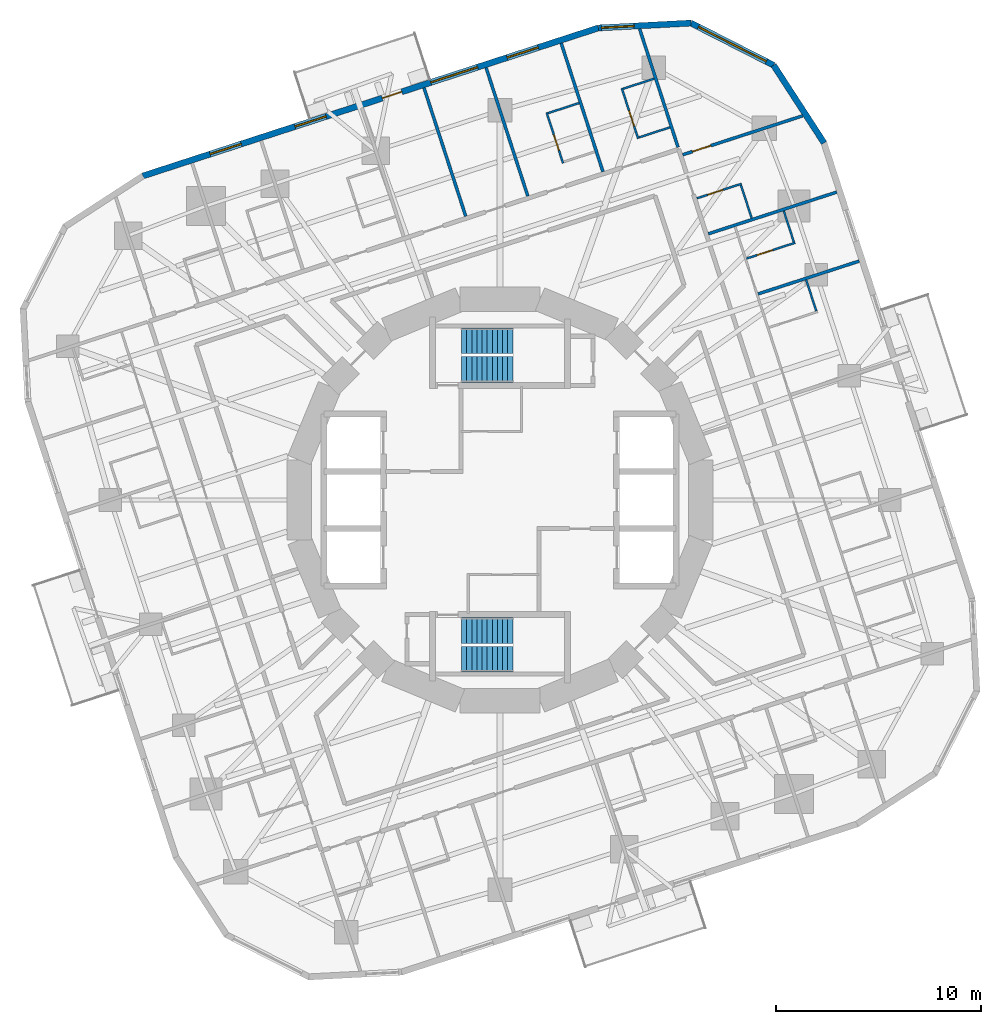
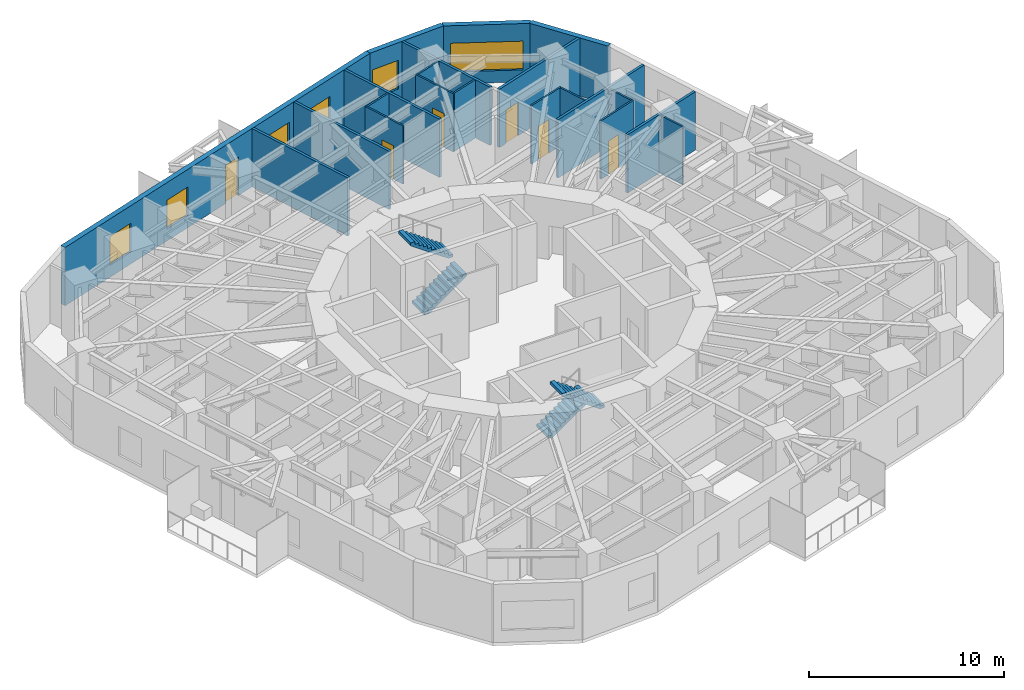
# One storey, part 10 of 12: 21 walls, 6 doors, 6 windows, 4 stair flights, 12 openings, 2 elements without a shape of their own.
"""IFC4 building model written with IfcOpenShell, lengths in metres."""

import ifcopenshell
import ifcopenshell.guid

model = None  # the IFC model being written
_history = None  # IfcOwnerHistory: only IFC2X3 demands one
_inside = {}  # id of a spatial element -> (the spatial element, [elements in it])
_under = {}  # id of a project, library or spatial element -> (it, [spatial elements below it])
_declared = {}  # id of a project -> (the project, [libraries it declares])
_typed = {}  # id of a type object -> (the type object, [elements of that type])
_made_of = {}  # id of a material, layer set ... -> (it, [elements and type objects made of it])


def new_model(schema):
    """Start an empty IFC model of exactly this schema.

    Asked for "IFC4X3", IfcOpenShell would pick the latest addendum, in which some entities
    have other attributes; the version numbers below select the first issue.
    IFC2X3 requires an IfcOwnerHistory on every rooted entity: one is made here for all.
    """
    global model, _history
    if schema == "IFC4X3":
        model = ifcopenshell.file(schema_version=(4, 3, 0, 0))
    else:
        model = ifcopenshell.file(schema=schema)
    _inside.clear()
    _under.clear()
    _declared.clear()
    _typed.clear()
    _made_of.clear()
    _history = None
    if model.schema == "IFC2X3":
        org = make("IfcOrganization", Name="unknown")
        user = make(
            "IfcPersonAndOrganization",
            ThePerson=make("IfcPerson", FamilyName="unknown"),
            TheOrganization=org,
        )
        app = make(
            "IfcApplication",
            ApplicationDeveloper=org,
            Version="unknown",
            ApplicationFullName="unknown",
            ApplicationIdentifier="unknown",
        )
        _history = make(
            "IfcOwnerHistory",
            OwningUser=user,
            OwningApplication=app,
            ChangeAction="ADDED",
            CreationDate=0,
        )
    return model


def make(cls, **values):
    """One entity of the class cls with the attributes given. An attribute that is None is left unset."""
    return model.create_entity(
        cls, **{name: value for name, value in values.items() if value is not None}
    )


def rooted(cls, **values):
    """An entity with a GlobalId (a new one), such as an element, a storey or a relation."""
    return make(cls, GlobalId=ifcopenshell.guid.new(), OwnerHistory=_history, **values)


def si_unit(unit_type, name, prefix=None):
    """IfcSIUnit, for example si_unit("LENGTHUNIT", "METRE", prefix="MILLI")."""
    return make("IfcSIUnit", UnitType=unit_type, Prefix=prefix, Name=name)


def assignment(units):
    """IfcUnitAssignment: the units of a project."""
    return None if units is None else make("IfcUnitAssignment", Units=units)


def point(xyz):
    """IfcCartesianPoint."""
    return None if xyz is None else make("IfcCartesianPoint", Coordinates=xyz)


def direction(xyz):
    """IfcDirection."""
    return None if xyz is None else make("IfcDirection", DirectionRatios=xyz)


def frame(location, z_axis=None, x_axis=None):
    """IfcAxis2Placement3D, a coordinate frame: its origin and axes. An axis left out is left unset."""
    return make(
        "IfcAxis2Placement3D",
        Location=point(location),
        Axis=direction(z_axis),
        RefDirection=direction(x_axis),
    )


def frame_2d(location, x_axis=None):
    """IfcAxis2Placement2D, a coordinate frame in the plane: its origin and x axis."""
    return make(
        "IfcAxis2Placement2D", Location=point(location), RefDirection=direction(x_axis)
    )


def origin():
    """The frame at (0, 0, 0) with its axes left unset."""
    return frame((0.0, 0.0, 0.0))


def place(relative_to, where):
    """IfcLocalPlacement: puts the frame where relative to a parent placement (None: the world)."""
    return make(
        "IfcLocalPlacement", PlacementRelTo=relative_to, RelativePlacement=where
    )


def context(
    kind, dimensions, precision=None, world=None, true_north=None, identifier=None
):
    """IfcGeometricRepresentationContext, for example the 3D "Model" context."""
    return make(
        "IfcGeometricRepresentationContext",
        ContextIdentifier=identifier,
        ContextType=kind,
        CoordinateSpaceDimension=dimensions,
        Precision=precision,
        WorldCoordinateSystem=world,
        TrueNorth=true_north,
    )


def subcontext(parent, identifier, kind, view, scale=None):
    """IfcGeometricRepresentationSubContext, for example "Body" below "Model"."""
    return make(
        "IfcGeometricRepresentationSubContext",
        ContextIdentifier=identifier,
        ContextType=kind,
        ParentContext=parent,
        TargetScale=scale,
        TargetView=view,
    )


def project(units=None, contexts=None):
    """IfcProject with its units and contexts."""
    return rooted(
        "IfcProject",
        Name="project",
        RepresentationContexts=contexts,
        UnitsInContext=assignment(units),
    )


def spatial(cls, under=None, at=None, **own):
    """A site, building, storey or space (cls), placed at a placement, below another one or the project."""
    s = rooted(cls, ObjectPlacement=at, **own)
    if under is not None:
        _under.setdefault(under.id(), (under, []))[1].append(s)
    return s


def polyline(points):
    """IfcPolyline through the points."""
    return make("IfcPolyline", Points=[point(p) for p in points])


def profile(cls, at=None, kind="AREA", **sizes):
    """A parametric profile (cls). Its sizes go by their IFC names, for example OverallWidth=200.0."""
    return make(cls, ProfileType=kind, Position=at, **sizes)


def rectangle(**sizes):
    """IfcRectangleProfileDef."""
    return profile("IfcRectangleProfileDef", **sizes)


def outline(outer, holes=None, kind="AREA"):
    """IfcArbitraryClosedProfileDef: a profile drawn as a closed curve; with holes, ...WithVoids."""
    if holes is None:
        return make("IfcArbitraryClosedProfileDef", ProfileType=kind, OuterCurve=outer)
    return make(
        "IfcArbitraryProfileDefWithVoids",
        ProfileType=kind,
        OuterCurve=outer,
        InnerCurves=holes,
    )


def extrude(swept, where, along, depth):
    """IfcExtrudedAreaSolid: the profile swept, set in the frame where, extruded along a direction by depth."""
    return make(
        "IfcExtrudedAreaSolid",
        SweptArea=swept,
        Position=where,
        ExtrudedDirection=direction(along),
        Depth=depth,
    )


def shape(context_of_items, identifier, shape_type, items):
    """IfcShapeRepresentation: the items that make up one representation, for example the "Body"."""
    return make(
        "IfcShapeRepresentation",
        ContextOfItems=context_of_items,
        RepresentationIdentifier=identifier,
        RepresentationType=shape_type,
        Items=items,
    )


def material(Name=None, Category=None):
    """IfcMaterial."""
    return make("IfcMaterial", Name=Name, Category=Category)


def layer(
    of_material, thickness, ventilated=None, Name=None, Category=None, Priority=None
):
    """IfcMaterialLayer: one layer of a wall or slab, of a material (None: an air gap)."""
    return make(
        "IfcMaterialLayer",
        Material=of_material,
        LayerThickness=thickness,
        IsVentilated=ventilated,
        Name=Name,
        Category=Category,
        Priority=Priority,
    )


def layer_set(layers, Name=None):
    """IfcMaterialLayerSet."""
    return make("IfcMaterialLayerSet", MaterialLayers=layers, LayerSetName=Name)


def made_of(thing, what):
    """Note that an element or type object is made of a material, layer set ...; save() writes the relation."""
    if what is not None:
        _made_of.setdefault(what.id(), (what, []))[1].append(thing)
    return thing


def type_object(cls, material=None, **own):
    """A type object (cls), such as IfcWallType, which elements share."""
    return made_of(rooted(cls, **own), material)


def element(
    cls,
    number,
    at=None,
    inside=None,
    cuts=None,
    type_object=None,
    material=None,
    context=None,
    identifier="Body",
    shape_type=None,
    held_by="IfcProductDefinitionShape",
    body=None,
    shapes=None,
    **own,
):
    """One element of the class cls, such as IfcWall. Its Tag is "e" and its number.

    at: its placement. inside: the storey or other place that contains it. cuts: it is an
    opening in that element (IfcRelVoidsElement). A single representation is given by context,
    identifier, shape_type and body (its items); several are given by shapes. held_by: the class
    of the entity that holds the representations. save() writes the other relations.
    """
    e = rooted(cls, Tag="e%d" % number, ObjectPlacement=at, **own)
    if body is not None:
        shapes = [shape(context, identifier, shape_type, body)]
    if shapes is not None:
        e.Representation = make(held_by, Representations=shapes)
    if inside is not None:
        _inside.setdefault(inside.id(), (inside, []))[1].append(e)
    if cuts is not None:
        rooted(
            "IfcRelVoidsElement", RelatingBuildingElement=cuts, RelatedOpeningElement=e
        )
    if type_object is not None:
        _typed.setdefault(type_object.id(), (type_object, []))[1].append(e)
    return made_of(e, material)


def fill(opening, filler):
    """IfcRelFillsElement: the door or window that sits in an opening."""
    return rooted(
        "IfcRelFillsElement",
        RelatingOpeningElement=opening,
        RelatedBuildingElement=filler,
    )


def aggregate(whole, parts):
    """IfcRelAggregates: a whole, such as a stair, and the parts it consists of."""
    return rooted("IfcRelAggregates", RelatingObject=whole, RelatedObjects=parts)


def save(model, path):
    """Write the relations noted so far, then the file.

    IfcRelAggregates (storeys below a building ...), IfcRelContainedInSpatialStructure (elements
    in a storey), IfcRelDefinesByType, IfcRelAssociatesMaterial and IfcRelDeclares: one each for
    every whole, place, type object, material and project.
    """
    for whole, parts in _under.values():
        aggregate(whole, parts)
    for where, things in _inside.values():
        rooted(
            "IfcRelContainedInSpatialStructure",
            RelatedElements=things,
            RelatingStructure=where,
        )
    for kind, things in _typed.values():
        rooted("IfcRelDefinesByType", RelatedObjects=things, RelatingType=kind)
    for what, things in _made_of.values():
        rooted("IfcRelAssociatesMaterial", RelatedObjects=things, RelatingMaterial=what)
    for by, libraries in _declared.values():
        rooted("IfcRelDeclares", RelatingContext=by, RelatedDefinitions=libraries)
    model.write(path)


model = new_model("IFC4")

# Units and contexts
model_context = context("Model", 3, precision=1e-05, world=origin(), true_north=direction((0.0, 1.0)))
body_context = subcontext(model_context, "Body", "Model", "MODEL_VIEW")
ifc_project = project(units=[si_unit("LENGTHUNIT", "METRE"), si_unit("AREAUNIT", "SQUARE_METRE"), si_unit("VOLUMEUNIT", "CUBIC_METRE"), si_unit("PLANEANGLEUNIT", "RADIAN"), si_unit("MASSUNIT", "GRAM", prefix="KILO")], contexts=[model_context])

# Site, building, storey
site_placement = place(None, origin())
site = spatial("IfcSite", under=ifc_project, at=site_placement, CompositionType="ELEMENT")
building_placement = place(site_placement, origin())
building = spatial("IfcBuilding", under=site, at=building_placement, Name="Nakasero Lantern House", CompositionType="ELEMENT")
storey_placement = place(building_placement, frame((0.0, 0.0, 168.75)))
storey = spatial("IfcBuildingStorey", under=building, at=storey_placement, Name="L41", CompositionType="ELEMENT", Elevation=168.75)

# Wall
ifc_material_1 = material(Name="Blockwork", Category="masonry")
ifc_layer_1 = layer(ifc_material_1, 0.10009765625)
ifc_layer_set_1 = layer_set([ifc_layer_1], Name="En-suite wall 100")
wall_type_1 = type_object("IfcWallType", Name="En-suite wall 100", PredefinedType="PARTITIONING", material=ifc_layer_set_1)
wall_1_placement = place(storey_placement, frame((15.4541015625, 9.23046875, 0.0), z_axis=(0.0, 0.0, 1.0), x_axis=(-0.309124022649, 0.951021734043, 0.0)))
element("IfcWall", 1, at=wall_1_placement, inside=storey, type_object=wall_type_1, Name="En-suite wall L41 EE0-04", PredefinedType="PARTITIONING", context=body_context, shape_type="SweptSolid", body=[
    extrude(rectangle(XDim=1.60009765625, YDim=0.10009765625, at=frame_2d((0.800048828125, 0.0))), origin(), (0.0, 0.0, 1.0), 3.64990234375),
])

# Wall, opening, door
wall_2_placement = place(storey_placement, frame((12.044189453125, 11.796630859375, 0.0), z_axis=(0.0, 0.0, 1.0), x_axis=(0.951067792613, 0.308982287281, 0.0)))
wall_2 = element("IfcWall", 2, at=wall_2_placement, inside=storey, type_object=wall_type_1, Name="En-suite wall L41 ES0-05", PredefinedType="PARTITIONING", context=body_context, shape_type="SweptSolid", body=[
    extrude(rectangle(XDim=2.5, YDim=0.10009765625, at=frame_2d((1.25, 0.0))), origin(), (0.0, 0.0, 1.0), 3.64990234375),
])
opening_1_placement = place(wall_2_placement, frame((0.550048828125, 0.0, 0.0)))
opening_1 = element("IfcOpeningElement", 3, at=opening_1_placement, cuts=wall_2, Name="Opening D02", PredefinedType="OPENING", context=body_context, shape_type="SweptSolid", body=[
    extrude(rectangle(XDim=0.800048828125, YDim=2.10009765625, at=frame_2d((0.39990234375, 1.050048828125))), frame((0.0, 0.070068359375, 0.0), z_axis=(0.0, -1.0, 0.0), x_axis=(1.0, 0.0, 0.0)), (0.0, 0.0, 1.0), 0.14013671875),
])
ifc_material_2 = material(Name="Timber C24", Category="wood")
door_type_1 = type_object("IfcDoorType", Name="En-suite door 800", OperationType="SINGLE_SWING_RIGHT", PredefinedType="DOOR", material=ifc_material_2)
door_1_placement = place(opening_1_placement, origin())
door_1 = element("IfcDoor", 4, at=door_1_placement, inside=storey, type_object=door_type_1, Name="Door L41 DE0-05", OperationType="SINGLE_SWING_LEFT", OverallHeight=2.10009765625, OverallWidth=0.800048828125, PredefinedType="DOOR", context=body_context, shape_type="SweptSolid", body=[
    extrude(rectangle(XDim=0.800048828125, YDim=2.10009765625, at=frame_2d((0.39990234375, 1.050048828125))), frame((0.0, 0.02490234375, 0.0), z_axis=(0.0, -1.0, 0.0), x_axis=(1.0, 0.0, 0.0)), (0.0, 0.0, 1.0), 0.050048828125),
])
fill(opening_1, door_1)

# Wall
wall_3_placement = place(storey_placement, frame((14.358642578125, 12.601318359375, 0.0), z_axis=(0.0, 0.0, 1.0), x_axis=(-0.308986014439, 0.951066581729, 0.0)))
element("IfcWall", 5, at=wall_3_placement, inside=storey, type_object=wall_type_1, Name="En-suite wall L41 EE0-05", PredefinedType="PARTITIONING", context=body_context, shape_type="SweptSolid", body=[
    extrude(rectangle(XDim=1.60009765625, YDim=0.10009765625, at=frame_2d((0.800048828125, 0.0))), origin(), (0.0, 0.0, 1.0), 3.64990234375),
])

# Wall, opening, door
wall_4_placement = place(storey_placement, frame((9.61572265625, 14.740234375, 0.0), z_axis=(0.0, 0.0, 1.0), x_axis=(0.951055129775, 0.309021261611, 0.0)))
wall_4 = element("IfcWall", 6, at=wall_4_placement, inside=storey, type_object=wall_type_1, Name="En-suite wall L41 ES0-06", PredefinedType="PARTITIONING", context=body_context, shape_type="SweptSolid", body=[
    extrude(rectangle(XDim=2.2998046875, YDim=0.10009765625, at=frame_2d((1.14990234375, 0.0))), origin(), (0.0, 0.0, 1.0), 3.64990234375),
])
opening_2_placement = place(wall_4_placement, frame((0.550048828125, 0.0, 0.0)))
opening_2 = element("IfcOpeningElement", 7, at=opening_2_placement, cuts=wall_4, Name="Opening D02", PredefinedType="OPENING", context=body_context, shape_type="SweptSolid", body=[
    extrude(rectangle(XDim=0.800048828125, YDim=2.10009765625, at=frame_2d((0.39990234375, 1.050048828125))), frame((0.0, 0.070068359375, 0.0), z_axis=(0.0, -1.0, 0.0), x_axis=(1.0, 0.0, 0.0)), (0.0, 0.0, 1.0), 0.14013671875),
])
door_2_placement = place(opening_2_placement, origin())
door_2 = element("IfcDoor", 8, at=door_2_placement, inside=storey, type_object=door_type_1, Name="Door L41 DE0-06", OperationType="SINGLE_SWING_LEFT", OverallHeight=2.10009765625, OverallWidth=0.800048828125, PredefinedType="DOOR", context=body_context, shape_type="SweptSolid", body=[
    extrude(rectangle(XDim=0.800048828125, YDim=2.10009765625, at=frame_2d((0.39990234375, 1.050048828125))), frame((0.0, 0.02490234375, 0.0), z_axis=(0.0, -1.0, 0.0), x_axis=(1.0, 0.0, 0.0)), (0.0, 0.0, 1.0), 0.050048828125),
])
fill(opening_2, door_2)

# Wall
wall_5_placement = place(storey_placement, frame((12.29638671875, 13.771240234375, 0.0), z_axis=(0.0, 0.0, 1.0), x_axis=(-0.309066587596, 0.951040401051, 0.0)))
element("IfcWall", 9, at=wall_5_placement, inside=storey, type_object=wall_type_1, Name="En-suite wall L41 EE0-06", PredefinedType="PARTITIONING", context=body_context, shape_type="SweptSolid", body=[
    extrude(rectangle(XDim=1.699951171875, YDim=0.10009765625, at=frame_2d((0.85009765625, 0.0))), origin(), (0.0, 0.0, 1.0), 3.64990234375),
])

# Wall, opening, door
wall_6_placement = place(storey_placement, frame((6.751220703125, 17.650146484375, 0.0), z_axis=(0.0, 0.0, 1.0), x_axis=(-0.309035112607, 0.951050629134, 0.0)))
wall_6 = element("IfcWall", 10, at=wall_6_placement, inside=storey, type_object=wall_type_1, Name="En-suite wall L41 ES1-00", PredefinedType="PARTITIONING", context=body_context, shape_type="SweptSolid", body=[
    extrude(rectangle(XDim=2.599853515625, YDim=0.10009765625, at=frame_2d((1.2998046875, 0.0))), origin(), (0.0, 0.0, 1.0), 3.64990234375),
])
opening_3_placement = place(wall_6_placement, frame((0.64990234375, 0.0, 0.0)))
opening_3 = element("IfcOpeningElement", 11, at=opening_3_placement, cuts=wall_6, Name="Opening D02", PredefinedType="OPENING", context=body_context, shape_type="SweptSolid", body=[
    extrude(rectangle(XDim=0.800048828125, YDim=2.10009765625, at=frame_2d((0.39990234375, 1.050048828125))), frame((0.0, 0.070068359375, 0.0), z_axis=(0.0, -1.0, 0.0), x_axis=(1.0, 0.0, 0.0)), (0.0, 0.0, 1.0), 0.14013671875),
])
door_3_placement = place(opening_3_placement, origin())
door_3 = element("IfcDoor", 12, at=door_3_placement, inside=storey, type_object=door_type_1, Name="Door L41 DE1-00", OperationType="SINGLE_SWING_LEFT", OverallHeight=2.10009765625, OverallWidth=0.800048828125, PredefinedType="DOOR", context=body_context, shape_type="SweptSolid", body=[
    extrude(rectangle(XDim=0.800048828125, YDim=2.10009765625, at=frame_2d((0.39990234375, 1.050048828125))), frame((0.0, 0.02490234375, 0.0), z_axis=(0.0, -1.0, 0.0), x_axis=(1.0, 0.0, 0.0)), (0.0, 0.0, 1.0), 0.050048828125),
])
fill(opening_3, door_3)

# Walls
wall_7_placement = place(storey_placement, frame((7.532470703125, 20.585205078125, 0.0), z_axis=(0.0, 0.0, 1.0), x_axis=(-0.951066581729, -0.308986014439, 0.0)))
element("IfcWall", 13, at=wall_7_placement, inside=storey, type_object=wall_type_1, Name="En-suite wall L41 EE1-00", PredefinedType="PARTITIONING", context=body_context, shape_type="SweptSolid", body=[
    extrude(rectangle(XDim=1.60009765625, YDim=0.10009765625, at=frame_2d((0.800048828125, 0.0))), origin(), (0.0, 0.0, 1.0), 3.64990234375),
])
wall_8_placement = place(storey_placement, frame((8.304931640625, 18.20751953125, 0.0), z_axis=(0.0, 0.0, 1.0), x_axis=(-0.951052010842, -0.309030860391, 0.0)))
element("IfcWall", 14, at=wall_8_placement, inside=storey, type_object=wall_type_1, Name="En-suite wall L41 EI1-00", PredefinedType="PARTITIONING", context=body_context, shape_type="SweptSolid", body=[
    extrude(rectangle(XDim=1.599853515625, YDim=0.10009765625, at=frame_2d((0.7998046875, 0.0))), origin(), (0.0, 0.0, 1.0), 3.64990234375),
])

# Wall, opening, door
wall_9_placement = place(storey_placement, frame((3.08056640625, 16.45751953125, 0.0), z_axis=(0.0, 0.0, 1.0), x_axis=(-0.308950173806, 0.951078225019, 0.0)))
wall_9 = element("IfcWall", 15, at=wall_9_placement, inside=storey, type_object=wall_type_1, Name="En-suite wall L41 ES1-01", PredefinedType="PARTITIONING", context=body_context, shape_type="SweptSolid", body=[
    extrude(rectangle(XDim=2.599853515625, YDim=0.10009765625, at=frame_2d((1.2998046875, 0.0))), origin(), (0.0, 0.0, 1.0), 3.64990234375),
])
opening_4_placement = place(wall_9_placement, frame((0.64990234375, 0.0, 0.0)))
opening_4 = element("IfcOpeningElement", 16, at=opening_4_placement, cuts=wall_9, Name="Opening D02", PredefinedType="OPENING", context=body_context, shape_type="SweptSolid", body=[
    extrude(rectangle(XDim=0.800048828125, YDim=2.10009765625, at=frame_2d((0.39990234375, 1.050048828125))), frame((0.0, 0.070068359375, 0.0), z_axis=(0.0, -1.0, 0.0), x_axis=(1.0, 0.0, 0.0)), (0.0, 0.0, 1.0), 0.14013671875),
])
door_4_placement = place(opening_4_placement, origin())
door_4 = element("IfcDoor", 17, at=door_4_placement, inside=storey, type_object=door_type_1, Name="Door L41 DE1-01", OperationType="SINGLE_SWING_LEFT", OverallHeight=2.10009765625, OverallWidth=0.800048828125, PredefinedType="DOOR", context=body_context, shape_type="SweptSolid", body=[
    extrude(rectangle(XDim=0.800048828125, YDim=2.10009765625, at=frame_2d((0.39990234375, 1.050048828125))), frame((0.0, 0.02490234375, 0.0), z_axis=(0.0, -1.0, 0.0), x_axis=(1.0, 0.0, 0.0)), (0.0, 0.0, 1.0), 0.050048828125),
])
fill(opening_4, door_4)

# Walls
wall_10_placement = place(storey_placement, frame((3.86181640625, 19.392578125, 0.0), z_axis=(0.0, 0.0, 1.0), x_axis=(-0.951052010842, -0.309030860391, 0.0)))
element("IfcWall", 18, at=wall_10_placement, inside=storey, type_object=wall_type_1, Name="En-suite wall L41 EE1-01", PredefinedType="PARTITIONING", context=body_context, shape_type="SweptSolid", body=[
    extrude(rectangle(XDim=1.599853515625, YDim=0.10009765625, at=frame_2d((0.7998046875, 0.0))), origin(), (0.0, 0.0, 1.0), 3.64990234375),
])
ifc_material_3 = material(Name="Aluminium rainscreen on blockwork", Category="masonry")
ifc_layer_2 = layer(ifc_material_3, 0.300048828125)
ifc_layer_set_2 = layer_set([ifc_layer_2], Name="Facade wall 300")
wall_type_2 = type_object("IfcWallType", Name="Facade wall 300", PredefinedType="SOLIDWALL", material=ifc_layer_set_2)
wall_11_placement = place(storey_placement, frame((15.83349609375, 17.44677734375, 0.0), z_axis=(0.0, 0.0, 1.0), x_axis=(-0.544634002266, 0.838673836229, 0.0)))
element("IfcWall", 19, at=wall_11_placement, inside=storey, type_object=wall_type_2, Name="Facade wall L41 FW0C1", PredefinedType="SOLIDWALL", context=body_context, shape_type="SweptSolid", body=[
    extrude(rectangle(XDim=4.529296875, YDim=0.300048828125, at=frame_2d((2.2646484375, 0.0))), origin(), (0.0, 0.0, 1.0), 3.64990234375),
])

# Wall, opening, window
wall_12_placement = place(storey_placement, frame((13.36669921875, 21.245361328125, 0.0), z_axis=(0.0, 0.0, 1.0), x_axis=(-0.890994655705, 0.454013792196, 0.0)))
wall_12 = element("IfcWall", 20, at=wall_12_placement, inside=storey, type_object=wall_type_2, Name="Facade wall L41 FW0C2", PredefinedType="SOLIDWALL", context=body_context, shape_type="SweptSolid", body=[
    extrude(rectangle(XDim=4.529296875, YDim=0.300048828125, at=frame_2d((2.2646484375, 0.0))), origin(), (0.0, 0.0, 1.0), 3.64990234375),
])
opening_5_placement = place(wall_12_placement, frame((0.39990234375, 0.0, 0.75)))
opening_5 = element("IfcOpeningElement", 21, at=opening_5_placement, cuts=wall_12, Name="Opening W237A", PredefinedType="OPENING", context=body_context, shape_type="SweptSolid", body=[
    extrude(rectangle(XDim=3.72900390625, YDim=1.800048828125, at=frame_2d((1.864501953125, 0.89990234375))), frame((0.0, 0.169921875, 0.0), z_axis=(0.0, -1.0, 0.0), x_axis=(1.0, 0.0, 0.0)), (0.0, 0.0, 1.0), 0.340087890625),
])
ifc_material_4 = material(Name="Aluminium 6063-T6 and glass", Category="aluminium")
window_type_1 = type_object("IfcWindowType", Name="Corner window 3729x1800", PartitioningType="SINGLE_PANEL", PredefinedType="WINDOW", material=ifc_material_4)
window_1_placement = place(opening_5_placement, origin())
window_1 = element("IfcWindow", 22, at=window_1_placement, inside=storey, type_object=window_type_1, Name="Window L41 WC0", OverallHeight=1.800048828125, OverallWidth=3.72900390625, PartitioningType="SINGLE_PANEL", PredefinedType="WINDOW", context=body_context, shape_type="SweptSolid", body=[
    extrude(rectangle(XDim=3.72900390625, YDim=1.800048828125, at=frame_2d((1.864501953125, 0.89990234375))), frame((0.0, 0.030029296875, 0.0), z_axis=(0.0, -1.0, 0.0), x_axis=(1.0, 0.0, 0.0)), (0.0, 0.0, 1.0), 0.06005859375),
])
fill(opening_5, window_1)

wall_13_placement = place(storey_placement, frame((9.3310546875, 23.3017578125, 0.0), z_axis=(0.0, 0.0, 1.0), x_axis=(-0.998629419044, -0.052338164079, 0.0)))
wall_13 = element("IfcWall", 23, at=wall_13_placement, inside=storey, type_object=wall_type_2, Name="Facade wall L41 FW0C3", PredefinedType="SOLIDWALL", context=body_context, shape_type="SweptSolid", body=[
    extrude(rectangle(XDim=4.529296875, YDim=0.300048828125, at=frame_2d((2.2646484375, 0.0))), origin(), (0.0, 0.0, 1.0), 3.64990234375),
])
opening_6_placement = place(wall_13_placement, frame((2.784912109375, 0.0, 0.75)))
opening_6 = element("IfcOpeningElement", 24, at=opening_6_placement, cuts=wall_13, Name="Opening W01", PredefinedType="OPENING", context=body_context, shape_type="SweptSolid", body=[
    extrude(rectangle(XDim=1.60009765625, YDim=1.800048828125, at=frame_2d((0.800048828125, 0.89990234375))), frame((0.0, 0.169921875, 0.0), z_axis=(0.0, -1.0, 0.0), x_axis=(1.0, 0.0, 0.0)), (0.0, 0.0, 1.0), 0.340087890625),
])
ifc_material_5 = material(Name="Aluminium 6063-T6 and glass", Category="aluminium")
window_type_2 = type_object("IfcWindowType", Name="Bedroom window 1600x1800", PartitioningType="SINGLE_PANEL", PredefinedType="WINDOW", material=ifc_material_5)
window_2_placement = place(opening_6_placement, origin())
window_2 = element("IfcWindow", 25, at=window_2_placement, inside=storey, type_object=window_type_2, Name="Window L41 WN1-00", OverallHeight=1.800048828125, OverallWidth=1.60009765625, PartitioningType="SINGLE_PANEL", PredefinedType="WINDOW", context=body_context, shape_type="SweptSolid", body=[
    extrude(rectangle(XDim=1.60009765625, YDim=1.800048828125, at=frame_2d((0.800048828125, 0.89990234375))), frame((0.0, 0.030029296875, 0.0), z_axis=(0.0, -1.0, 0.0), x_axis=(1.0, 0.0, 0.0)), (0.0, 0.0, 1.0), 0.06005859375),
])
fill(opening_6, window_2)

# Wall, openings, door, windows
wall_14_placement = place(storey_placement, frame((4.807861328125, 23.064697265625, 0.0), z_axis=(0.0, 0.0, 1.0), x_axis=(-0.951053618334, -0.30902591324, 0.0)))
wall_14 = element("IfcWall", 26, at=wall_14_placement, inside=storey, type_object=wall_type_2, Name="Facade wall L41 FW1S", PredefinedType="SOLIDWALL", context=body_context, shape_type="SweptSolid", body=[
    extrude(rectangle(XDim=23.39990234375, YDim=0.300048828125, at=frame_2d((11.699951171875, 0.0))), origin(), (0.0, 0.0, 1.0), 3.64990234375),
])
opening_7_placement = place(wall_14_placement, frame((3.089111328125, 0.0, 0.75)))
opening_7 = element("IfcOpeningElement", 27, at=opening_7_placement, cuts=wall_14, Name="Opening W01", PredefinedType="OPENING", context=body_context, shape_type="SweptSolid", body=[
    extrude(rectangle(XDim=1.60009765625, YDim=1.800048828125, at=frame_2d((0.800048828125, 0.89990234375))), frame((0.0, 0.169921875, 0.0), z_axis=(0.0, -1.0, 0.0), x_axis=(1.0, 0.0, 0.0)), (0.0, 0.0, 1.0), 0.340087890625),
])
opening_8_placement = place(wall_14_placement, frame((13.987548828125, 0.0, 0.75)))
opening_8 = element("IfcOpeningElement", 28, at=opening_8_placement, cuts=wall_14, Name="Opening W01", PredefinedType="OPENING", context=body_context, shape_type="SweptSolid", body=[
    extrude(rectangle(XDim=1.60009765625, YDim=1.800048828125, at=frame_2d((0.800048828125, 0.89990234375))), frame((0.0, 0.169921875, 0.0), z_axis=(0.0, -1.0, 0.0), x_axis=(1.0, 0.0, 0.0)), (0.0, 0.0, 1.0), 0.340087890625),
])
opening_9_placement = place(wall_14_placement, frame((18.350341796875, 0.0, 0.75)))
opening_9 = element("IfcOpeningElement", 29, at=opening_9_placement, cuts=wall_14, Name="Opening W01", PredefinedType="OPENING", context=body_context, shape_type="SweptSolid", body=[
    extrude(rectangle(XDim=1.60009765625, YDim=1.800048828125, at=frame_2d((0.800048828125, 0.89990234375))), frame((0.0, 0.169921875, 0.0), z_axis=(0.0, -1.0, 0.0), x_axis=(1.0, 0.0, 0.0)), (0.0, 0.0, 1.0), 0.340087890625),
])
opening_10_placement = place(wall_14_placement, frame((6.21337890625, 0.0, 0.75)))
opening_10 = element("IfcOpeningElement", 30, at=opening_10_placement, cuts=wall_14, Name="Opening W03", PredefinedType="OPENING", context=body_context, shape_type="SweptSolid", body=[
    extrude(rectangle(XDim=2.39990234375, YDim=1.800048828125, at=frame_2d((1.199951171875, 0.89990234375))), frame((0.0, 0.169921875, 0.0), z_axis=(0.0, -1.0, 0.0), x_axis=(1.0, 0.0, 0.0)), (0.0, 0.0, 1.0), 0.340087890625),
])
opening_11_placement = place(wall_14_placement, frame((10.1025390625, 0.0, 0.0)))
opening_11 = element("IfcOpeningElement", 31, at=opening_11_placement, cuts=wall_14, Name="Opening D04", PredefinedType="OPENING", context=body_context, shape_type="SweptSolid", body=[
    extrude(rectangle(XDim=1.0, YDim=2.39990234375, at=frame_2d((0.5, 1.199951171875))), frame((0.0, 0.169921875, 0.0), z_axis=(0.0, -1.0, 0.0), x_axis=(1.0, 0.0, 0.0)), (0.0, 0.0, 1.0), 0.340087890625),
])
ifc_material_6 = material(Name="Aluminium 6063-T6 and glass", Category="aluminium")
door_type_2 = type_object("IfcDoorType", Name="Balcony door 1000x2400", OperationType="SINGLE_SWING_RIGHT", PredefinedType="DOOR", material=ifc_material_6)
door_5_placement = place(opening_11_placement, origin())
door_5 = element("IfcDoor", 32, at=door_5_placement, inside=storey, type_object=door_type_2, Name="Balcony door L41 DB1", OperationType="SINGLE_SWING_RIGHT", OverallHeight=2.39990234375, OverallWidth=1.0, PredefinedType="DOOR", context=body_context, shape_type="SweptSolid", body=[
    extrude(rectangle(XDim=1.0, YDim=2.39990234375, at=frame_2d((0.5, 1.199951171875))), frame((0.0, 0.02490234375, 0.0), z_axis=(0.0, -1.0, 0.0), x_axis=(1.0, 0.0, 0.0)), (0.0, 0.0, 1.0), 0.050048828125),
])
fill(opening_11, door_5)
window_3_placement = place(opening_7_placement, origin())
window_3 = element("IfcWindow", 33, at=window_3_placement, inside=storey, type_object=window_type_2, Name="Window L41 WN1-01", OverallHeight=1.800048828125, OverallWidth=1.60009765625, PartitioningType="SINGLE_PANEL", PredefinedType="WINDOW", context=body_context, shape_type="SweptSolid", body=[
    extrude(rectangle(XDim=1.60009765625, YDim=1.800048828125, at=frame_2d((0.800048828125, 0.89990234375))), frame((0.0, 0.030029296875, 0.0), z_axis=(0.0, -1.0, 0.0), x_axis=(1.0, 0.0, 0.0)), (0.0, 0.0, 1.0), 0.06005859375),
])
fill(opening_7, window_3)
window_4_placement = place(opening_8_placement, origin())
window_4 = element("IfcWindow", 34, at=window_4_placement, inside=storey, type_object=window_type_2, Name="Window L41 WN1-04", OverallHeight=1.800048828125, OverallWidth=1.60009765625, PartitioningType="SINGLE_PANEL", PredefinedType="WINDOW", context=body_context, shape_type="SweptSolid", body=[
    extrude(rectangle(XDim=1.60009765625, YDim=1.800048828125, at=frame_2d((0.800048828125, 0.89990234375))), frame((0.0, 0.030029296875, 0.0), z_axis=(0.0, -1.0, 0.0), x_axis=(1.0, 0.0, 0.0)), (0.0, 0.0, 1.0), 0.06005859375),
])
fill(opening_8, window_4)
window_5_placement = place(opening_9_placement, origin())
window_5 = element("IfcWindow", 35, at=window_5_placement, inside=storey, type_object=window_type_2, Name="Window L41 WN1-05", OverallHeight=1.800048828125, OverallWidth=1.60009765625, PartitioningType="SINGLE_PANEL", PredefinedType="WINDOW", context=body_context, shape_type="SweptSolid", body=[
    extrude(rectangle(XDim=1.60009765625, YDim=1.800048828125, at=frame_2d((0.800048828125, 0.89990234375))), frame((0.0, 0.030029296875, 0.0), z_axis=(0.0, -1.0, 0.0), x_axis=(1.0, 0.0, 0.0)), (0.0, 0.0, 1.0), 0.06005859375),
])
fill(opening_9, window_5)
ifc_material_7 = material(Name="Aluminium 6063-T6 and glass", Category="aluminium")
window_type_3 = type_object("IfcWindowType", Name="Lounge window 2400x1800", PartitioningType="SINGLE_PANEL", PredefinedType="WINDOW", material=ifc_material_7)
window_6_placement = place(opening_10_placement, origin())
window_6 = element("IfcWindow", 36, at=window_6_placement, inside=storey, type_object=window_type_3, Name="Window L41 WK1", OverallHeight=1.800048828125, OverallWidth=2.39990234375, PartitioningType="SINGLE_PANEL", PredefinedType="WINDOW", context=body_context, shape_type="SweptSolid", body=[
    extrude(rectangle(XDim=2.39990234375, YDim=1.800048828125, at=frame_2d((1.199951171875, 0.89990234375))), frame((0.0, 0.030029296875, 0.0), z_axis=(0.0, -1.0, 0.0), x_axis=(1.0, 0.0, 0.0)), (0.0, 0.0, 1.0), 0.06005859375),
])
fill(opening_10, window_6)

# Walls
ifc_material_8 = material(Name="Blockwork", Category="masonry")
ifc_layer_3 = layer(ifc_material_8, 0.14990234375)
ifc_layer_set_3 = layer_set([ifc_layer_3], Name="Party wall 150")
wall_type_3 = type_object("IfcWallType", Name="Party wall 150", PredefinedType="PARTITIONING", material=ifc_layer_set_3)
wall_15_placement = place(storey_placement, frame((12.606201171875, 10.06640625, 0.0), z_axis=(0.0, 0.0, 1.0), x_axis=(0.951055112834, 0.309021313752, 0.0)))
element("IfcWall", 37, at=wall_15_placement, inside=storey, type_object=wall_type_3, Name="Party wall L41 PW0-05", PredefinedType="PARTITIONING", context=body_context, shape_type="SweptSolid", body=[
    extrude(rectangle(XDim=5.2001953125, YDim=0.14990234375, at=frame_2d((2.60009765625, 0.0))), origin(), (0.0, 0.0, 1.0), 3.64990234375),
])
wall_16_placement = place(storey_placement, frame((10.1796875, 13.004638671875, 0.0), z_axis=(0.0, 0.0, 1.0), x_axis=(0.951053095941, 0.309027520945, 0.0)))
element("IfcWall", 38, at=wall_16_placement, inside=storey, type_object=wall_type_3, Name="Party wall L41 PW0-06", PredefinedType="PARTITIONING", context=body_context, shape_type="SweptSolid", body=[
    extrude(rectangle(XDim=6.599853515625, YDim=0.14990234375, at=frame_2d((3.2998046875, 0.0))), origin(), (0.0, 0.0, 1.0), 3.64990234375),
])

# Wall, opening, door
wall_17_placement = place(storey_placement, frame((8.9248046875, 16.8662109375, 0.0), z_axis=(0.0, 0.0, 1.0), x_axis=(0.951051818488, 0.309031452366, 0.0)))
wall_17 = element("IfcWall", 39, at=wall_17_placement, inside=storey, type_object=wall_type_3, Name="Party wall L41 PC0", PredefinedType="PARTITIONING", context=body_context, shape_type="SweptSolid", body=[
    extrude(rectangle(XDim=6.165283203125, YDim=0.14990234375, at=frame_2d((3.08251953125, 0.0))), origin(), (0.0, 0.0, 1.0), 3.64990234375),
])
opening_12_placement = place(wall_17_placement, frame((0.5, 0.0, 0.0)))
opening_12 = element("IfcOpeningElement", 40, at=opening_12_placement, cuts=wall_17, Name="Opening D01", PredefinedType="OPENING", context=body_context, shape_type="SweptSolid", body=[
    extrude(rectangle(XDim=0.949951171875, YDim=2.10009765625, at=frame_2d((0.47509765625, 1.050048828125))), frame((0.0, 0.094970703125, 0.0), z_axis=(0.0, -1.0, 0.0), x_axis=(1.0, 0.0, 0.0)), (0.0, 0.0, 1.0), 0.18994140625),
])
ifc_material_9 = material(Name="Timber C24", Category="wood")
door_type_3 = type_object("IfcDoorType", Name="Bedroom door FD30S 950", OperationType="SINGLE_SWING_LEFT", PredefinedType="DOOR", material=ifc_material_9)
door_6_placement = place(opening_12_placement, origin())
door_6 = element("IfcDoor", 41, at=door_6_placement, inside=storey, type_object=door_type_3, Name="Door L41 DC0", OperationType="SINGLE_SWING_LEFT", OverallHeight=2.10009765625, OverallWidth=0.949951171875, PredefinedType="DOOR", context=body_context, shape_type="SweptSolid", body=[
    extrude(rectangle(XDim=0.949951171875, YDim=2.10009765625, at=frame_2d((0.47509765625, 1.050048828125))), frame((0.0, 0.02490234375, 0.0), z_axis=(0.0, -1.0, 0.0), x_axis=(1.0, 0.0, 0.0)), (0.0, 0.0, 1.0), 0.050048828125),
])
fill(opening_12, door_6)

# Walls
wall_18_placement = place(storey_placement, frame((8.700927734375, 17.232177734375, 0.0), z_axis=(0.0, 0.0, 1.0), x_axis=(-0.309015253813, 0.951057081836, 0.0)))
element("IfcWall", 42, at=wall_18_placement, inside=storey, type_object=wall_type_3, Name="Party wall L41 PW1-00", PredefinedType="PARTITIONING", context=body_context, shape_type="SweptSolid", body=[
    extrude(rectangle(XDim=6.080322265625, YDim=0.14990234375, at=frame_2d((3.0400390625, 0.0))), origin(), (0.0, 0.0, 1.0), 3.64990234375),
])
for number, where, z_axis, x_axis, name in (
    (43, (5.0302734375, 16.03955078125, 0.0), (0.0, 0.0, 1.0), (-0.309027520945, 0.951053095941, 0.0), "Party wall L41 PW1-01"),
    (44, (1.359619140625, 14.846923828125, 0.0), (0.0, 0.0, 1.0), (-0.309027520945, 0.951053095941, 0.0), "Party wall L41 PW1-02"),
):
    element("IfcWall", number, at=place(storey_placement, frame(where, z_axis=z_axis, x_axis=x_axis)), inside=storey, type_object=wall_type_3, Name=name, PredefinedType="PARTITIONING", context=body_context, shape_type="SweptSolid", body=[
        extrude(rectangle(XDim=6.599853515625, YDim=0.14990234375, at=frame_2d((3.2998046875, 0.0))), origin(), (0.0, 0.0, 1.0), 3.64990234375),
    ])
wall_19_placement = place(storey_placement, frame((-1.67333984375, 13.861328125, 0.0), z_axis=(0.0, 0.0, 1.0), x_axis=(-0.309016649428, 0.951056628375, 0.0)))
element("IfcWall", 45, at=wall_19_placement, inside=storey, type_object=wall_type_3, Name="Party wall L41 PW1-03", PredefinedType="PARTITIONING", context=body_context, shape_type="SweptSolid", body=[
    extrude(rectangle(XDim=6.60009765625, YDim=0.14990234375, at=frame_2d((3.300048828125, 0.0))), origin(), (0.0, 0.0, 1.0), 3.64990234375),
])

# Stair, stair flights
ifc_material_10 = material(Name="Concrete C40/50", Category="concrete")
stair_type_1 = type_object("IfcStairType", Name="Escape stair ST1 22 risers", PredefinedType="HALF_TURN_STAIR", material=ifc_material_10)
stair_1_placement = place(storey_placement, origin())
stair_1 = element("IfcStair", 46, at=stair_1_placement, inside=storey, type_object=stair_type_1, Name="Escape stair ST1 L41", PredefinedType="HALF_TURN_STAIR")
ifc_material_11 = material(Name="Concrete C40/50", Category="concrete")
stair_flight_type = type_object("IfcStairFlightType", Name="Escape stair flight", PredefinedType="STRAIGHT", material=ifc_material_11)
stair_flight_1_placement = place(storey_placement, frame((-1.875, 6.375, 0.0), z_axis=(0.0, 0.0, 1.0), x_axis=(1.0, 0.0, 0.0)))
stair_flight_1 = element("IfcStairFlight", 47, at=stair_flight_1_placement, type_object=stair_flight_type, Name="ST1 flight 1", NumberOfRisers=11, NumberOfTreads=10, PredefinedType="STRAIGHT", RiserHeight=0.175, TreadLength=0.25, context=body_context, shape_type="SweptSolid", body=[
    extrude(outline(polyline([(0.0, 0.0), (0.0, 0.175048828125), (0.25, 0.175048828125), (0.25, 0.35009765625), (0.5, 0.35009765625), (0.5, 0.52490234375), (0.75, 0.52490234375), (0.75, 0.699951171875), (1.0, 0.699951171875), (1.0, 0.875), (1.25, 0.875), (1.25, 1.050048828125), (1.5, 1.050048828125), (1.5, 1.22509765625), (1.75, 1.22509765625), (1.75, 1.39990234375), (2.0, 1.39990234375), (2.0, 1.574951171875), (2.25, 1.574951171875), (2.25, 1.75), (2.5, 1.75), (2.5, 1.925048828125), (2.5, 1.567138671875), (0.261474609375, 0.0), (0.0, 0.0)])), frame((0.0, 0.625, 0.0), z_axis=(0.0, -1.0, 0.0), x_axis=(1.0, 0.0, 0.0)), (0.0, 0.0, 1.0), 1.25),
])
stair_flight_2_placement = place(storey_placement, frame((0.625, 7.77490234375, 1.925048828125), z_axis=(0.0, 0.0, 1.0), x_axis=(-1.0, 0.0, 0.0)))
stair_flight_2 = element("IfcStairFlight", 48, at=stair_flight_2_placement, type_object=stair_flight_type, Name="ST1 flight 2", NumberOfRisers=11, NumberOfTreads=10, PredefinedType="STRAIGHT", RiserHeight=0.175, TreadLength=0.25, context=body_context, shape_type="SweptSolid", body=[
    extrude(outline(polyline([(0.0, 0.0), (0.0, 0.175048828125), (0.25, 0.175048828125), (0.25, 0.35009765625), (0.5, 0.35009765625), (0.5, 0.52490234375), (0.75, 0.52490234375), (0.75, 0.699951171875), (1.0, 0.699951171875), (1.0, 0.875), (1.25, 0.875), (1.25, 1.050048828125), (1.5, 1.050048828125), (1.5, 1.22509765625), (1.75, 1.22509765625), (1.75, 1.39990234375), (2.0, 1.39990234375), (2.0, 1.574951171875), (2.25, 1.574951171875), (2.25, 1.75), (2.5, 1.75), (2.5, 1.925048828125), (2.5, 1.567138671875), (0.261474609375, 0.0), (0.0, 0.0)])), frame((0.0, 0.625, 0.0), z_axis=(0.0, -1.0, 0.0), x_axis=(1.0, 0.0, 0.0)), (0.0, 0.0, 1.0), 1.25),
])
aggregate(stair_1, [stair_flight_1, stair_flight_2])

ifc_material_12 = material(Name="Concrete C40/50", Category="concrete")
stair_type_2 = type_object("IfcStairType", Name="Escape stair ST2 22 risers", PredefinedType="HALF_TURN_STAIR", material=ifc_material_12)
stair_2_placement = place(storey_placement, origin())
stair_2 = element("IfcStair", 49, at=stair_2_placement, inside=storey, type_object=stair_type_2, Name="Escape stair ST2 L41", PredefinedType="HALF_TURN_STAIR")
stair_flight_3_placement = place(storey_placement, frame((-1.875, -6.375, 0.0), z_axis=(0.0, 0.0, 1.0), x_axis=(1.0, 0.0, 0.0)))
stair_flight_3 = element("IfcStairFlight", 50, at=stair_flight_3_placement, type_object=stair_flight_type, Name="ST2 flight 1", NumberOfRisers=11, NumberOfTreads=10, PredefinedType="STRAIGHT", RiserHeight=0.175, TreadLength=0.25, context=body_context, shape_type="SweptSolid", body=[
    extrude(outline(polyline([(0.0, 0.0), (0.0, 0.175048828125), (0.25, 0.175048828125), (0.25, 0.35009765625), (0.5, 0.35009765625), (0.5, 0.52490234375), (0.75, 0.52490234375), (0.75, 0.699951171875), (1.0, 0.699951171875), (1.0, 0.875), (1.25, 0.875), (1.25, 1.050048828125), (1.5, 1.050048828125), (1.5, 1.22509765625), (1.75, 1.22509765625), (1.75, 1.39990234375), (2.0, 1.39990234375), (2.0, 1.574951171875), (2.25, 1.574951171875), (2.25, 1.75), (2.5, 1.75), (2.5, 1.925048828125), (2.5, 1.567138671875), (0.261474609375, 0.0), (0.0, 0.0)])), frame((0.0, 0.625, 0.0), z_axis=(0.0, -1.0, 0.0), x_axis=(1.0, 0.0, 0.0)), (0.0, 0.0, 1.0), 1.25),
])
stair_flight_4_placement = place(storey_placement, frame((0.625, -7.77490234375, 1.925048828125), z_axis=(0.0, 0.0, 1.0), x_axis=(-1.0, 0.0, 0.0)))
stair_flight_4 = element("IfcStairFlight", 51, at=stair_flight_4_placement, type_object=stair_flight_type, Name="ST2 flight 2", NumberOfRisers=11, NumberOfTreads=10, PredefinedType="STRAIGHT", RiserHeight=0.175, TreadLength=0.25, context=body_context, shape_type="SweptSolid", body=[
    extrude(outline(polyline([(0.0, 0.0), (0.0, 0.175048828125), (0.25, 0.175048828125), (0.25, 0.35009765625), (0.5, 0.35009765625), (0.5, 0.52490234375), (0.75, 0.52490234375), (0.75, 0.699951171875), (1.0, 0.699951171875), (1.0, 0.875), (1.25, 0.875), (1.25, 1.050048828125), (1.5, 1.050048828125), (1.5, 1.22509765625), (1.75, 1.22509765625), (1.75, 1.39990234375), (2.0, 1.39990234375), (2.0, 1.574951171875), (2.25, 1.574951171875), (2.25, 1.75), (2.5, 1.75), (2.5, 1.925048828125), (2.5, 1.567138671875), (0.261474609375, 0.0), (0.0, 0.0)])), frame((0.0, 0.625, 0.0), z_axis=(0.0, -1.0, 0.0), x_axis=(1.0, 0.0, 0.0)), (0.0, 0.0, 1.0), 1.25),
])
aggregate(stair_2, [stair_flight_3, stair_flight_4])

save(model, "model.ifc")
